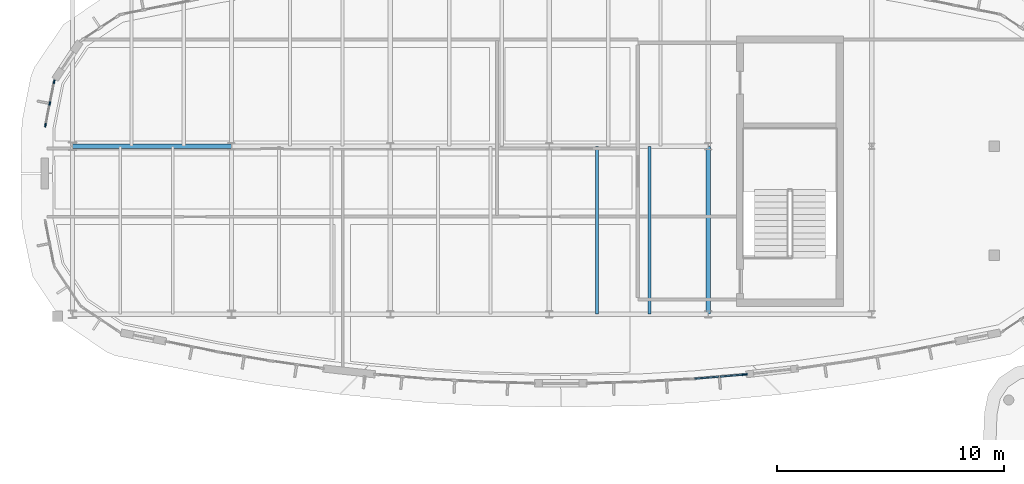
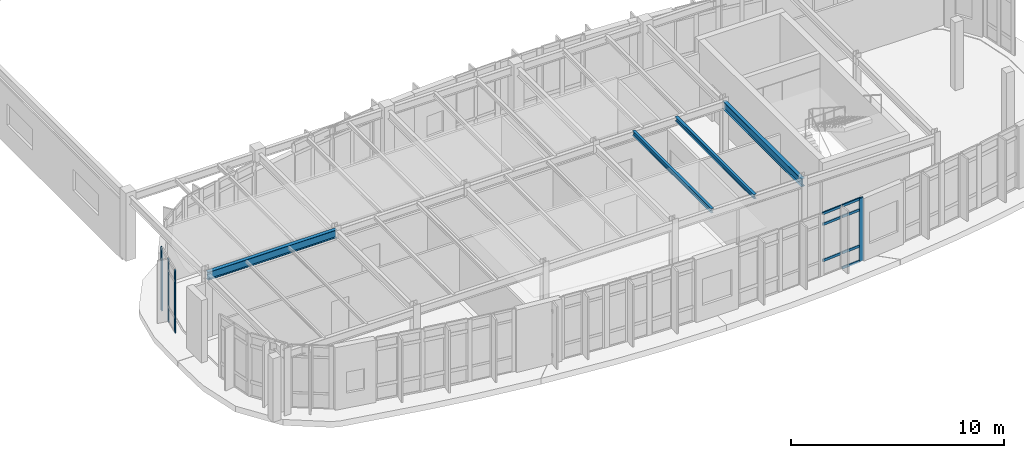
# One storey, part 36 of 111: 11 members, 4 beams, 2 elements without a shape of their own.
"""IFC4 building model written with IfcOpenShell, lengths in metres."""

from ifc_helpers import new_model, si_unit, direction, frame, origin, origin_2d, place, context, subcontext, project, spatial, rectangle, i_section, extrude, material, material_profile, profile_set, type_object, element, aggregate, save


model = new_model("IFC4")

# Units and contexts
model_context = context("Model", 3, precision=1e-05, world=origin(), true_north=direction((0.0, 1.0)))
body_context = subcontext(model_context, "Body", "Model", "MODEL_VIEW")
ifc_project = project(units=[si_unit("LENGTHUNIT", "METRE"), si_unit("AREAUNIT", "SQUARE_METRE"), si_unit("VOLUMEUNIT", "CUBIC_METRE"), si_unit("PLANEANGLEUNIT", "RADIAN"), si_unit("MASSUNIT", "GRAM", prefix="KILO")], contexts=[model_context])

# Site, building, storey
site_placement = place(None, origin())
site = spatial("IfcSite", under=ifc_project, at=site_placement, CompositionType="ELEMENT")
building_placement = place(site_placement, origin())
building = spatial("IfcBuilding", under=site, at=building_placement, Name="Corveleigh Park Community Centre", CompositionType="ELEMENT")
storey_placement = place(building_placement, frame((0.0, 0.0, 4.800048828125)))
storey = spatial("IfcBuildingStorey", under=building, at=storey_placement, Name="L01", CompositionType="ELEMENT", Elevation=4.800048828125)

# Beams
ifc_material_1 = material(Name="Steel S355", Category="steel")
ifc_material_profile_1 = material_profile(ifc_material_1, i_section(OverallWidth=0.14599609375, OverallDepth=0.25146484375, WebThickness=0.006103515625, FlangeThickness=0.008544921875, at=origin_2d()), Name="UKB 254x146x31", Category="steel")
ifc_profile_set_1 = profile_set([ifc_material_profile_1], Name="Steel S355")
beam_type_1 = type_object("IfcBeamType", Name="BM-STL-UKB254x31", PredefinedType="JOIST", material=ifc_profile_set_1)
for number, where, z_axis, x_axis, name in (
    (1, (34.300048828125, 78.0048828125, 3.53125), (0.0, 1.0, 0.0), (-1.0, 0.0, 0.0), "Secondary floor joist"),
    (2, (36.610107421875, 78.0048828125, 3.53125), (0.0, 1.0, 0.0), (-1.0, 0.0, 0.0), "Secondary floor joist"),
):
    element("IfcBeam", number, at=place(storey_placement, frame(where, z_axis=z_axis, x_axis=x_axis)), inside=storey, type_object=beam_type_1, Name=name, PredefinedType="JOIST", context=body_context, shape_type="SweptSolid", body=[
        extrude(i_section(OverallWidth=0.14599609375, OverallDepth=0.25146484375, WebThickness=0.006103515625, FlangeThickness=0.008544921875, at=origin_2d()), origin(), (0.0, 0.0, 1.0), 7.39013671875),
    ])
ifc_material_profile_2 = material_profile(ifc_material_1, i_section(OverallWidth=0.1904296875, OverallDepth=0.45703125, WebThickness=0.009033203125, FlangeThickness=0.014404296875, at=origin_2d()), Name="UKB 457x191x74", Category="steel")
ifc_profile_set_2 = profile_set([ifc_material_profile_2], Name="Steel S355")
beam_type_2 = type_object("IfcBeamType", Name="BM-STL-UKB457x74", PredefinedType="BEAM", material=ifc_profile_set_2)
beam_1_placement = place(storey_placement, frame((39.199951171875, 78.0048828125, 3.428466796875), z_axis=(0.0, 1.0, 0.0), x_axis=(-1.0, 0.0, 0.0)))
element("IfcBeam", 3, at=beam_1_placement, inside=storey, type_object=beam_type_2, Name="V2 Studio Girder Y", PredefinedType="BEAM", context=body_context, shape_type="SweptSolid", body=[
    extrude(i_section(OverallWidth=0.1904296875, OverallDepth=0.45703125, WebThickness=0.009033203125, FlangeThickness=0.014404296875, at=origin_2d()), origin(), (0.0, 0.0, 1.0), 7.39013671875),
])
ifc_material_profile_3 = material_profile(ifc_material_1, i_section(OverallWidth=0.19140625, OverallDepth=0.4599609375, WebThickness=0.010009765625, FlangeThickness=0.01611328125, at=origin_2d()), Name="UKB 457x191x82", Category="steel")
ifc_profile_set_3 = profile_set([ifc_material_profile_3], Name="Steel S355")
beam_type_3 = type_object("IfcBeamType", Name="BM-STL-UKB457x82", PredefinedType="BEAM", material=ifc_profile_set_3)
beam_2_placement = place(storey_placement, frame((11.205078125, 85.39990234375, 3.427001953125), z_axis=(1.0, 0.0, 0.0), x_axis=(0.0, 1.0, 0.0)))
element("IfcBeam", 4, at=beam_2_placement, inside=storey, type_object=beam_type_3, Name="V2 Studio Girder X", PredefinedType="BEAM", context=body_context, shape_type="SweptSolid", body=[
    extrude(i_section(OverallWidth=0.19140625, OverallDepth=0.4599609375, WebThickness=0.010009765625, FlangeThickness=0.01611328125, at=origin_2d()), origin(), (0.0, 0.0, 1.0), 6.989990234375),
])

# Curtain wall, members
ifc_material_2 = material(Name="Anodised aluminium 6063-T6", Category="aluminium")
curtain_wall_type = type_object("IfcCurtainWallType", Name="CW-SYS-V2-HALL", PredefinedType="NOTDEFINED", material=ifc_material_2)
curtain_wall_1_placement = place(storey_placement, origin())
curtain_wall_1 = element("IfcCurtainWall", 5, at=curtain_wall_1_placement, inside=storey, type_object=curtain_wall_type, Name="V2 L01 Curtain Wall 223", PredefinedType="NOTDEFINED")
ifc_material_profile_4 = material_profile(ifc_material_2, rectangle(XDim=0.06005859375, YDim=0.159912109375, at=origin_2d()), Name="ALU-M60x160", Category="aluminium")
ifc_profile_set_4 = profile_set([ifc_material_profile_4], Name="Anodised aluminium 6063-T6")
member_type_1 = type_object("IfcMemberType", Name="CWM-60x160", PredefinedType="MULLION", material=ifc_profile_set_4)
member_1_placement = place(storey_placement, frame((10.0107421875, 86.325439453125, 0.0), z_axis=(0.0, 0.0, 1.0), x_axis=(-0.980790638289, 0.195063384171, 0.0)))
member_1 = element("IfcMember", 6, at=member_1_placement, type_object=member_type_1, Name="CW04 mullion 1", PredefinedType="MULLION", context=body_context, shape_type="SweptSolid", body=[
    extrude(rectangle(XDim=0.06005859375, YDim=0.159912109375, at=origin_2d()), origin(), (0.0, 0.0, 1.0), 3.612060546875),
])
member_2_placement = place(storey_placement, frame((10.200927734375, 87.281494140625, 0.0), z_axis=(0.0, 0.0, 1.0), x_axis=(-0.980790638289, 0.195063384171, 0.0)))
member_2 = element("IfcMember", 7, at=member_2_placement, type_object=member_type_1, Name="CW04 mullion 2", PredefinedType="MULLION", context=body_context, shape_type="SweptSolid", body=[
    extrude(rectangle(XDim=0.06005859375, YDim=0.159912109375, at=origin_2d()), origin(), (0.0, 0.0, 1.0), 3.612060546875),
])
member_3_placement = place(storey_placement, frame((10.39111328125, 88.237548828125, 0.0), z_axis=(0.0, 0.0, 1.0), x_axis=(-0.980790638289, 0.195063384171, 0.0)))
member_3 = element("IfcMember", 8, at=member_3_placement, type_object=member_type_1, Name="CW04 mullion 3", PredefinedType="MULLION", context=body_context, shape_type="SweptSolid", body=[
    extrude(rectangle(XDim=0.06005859375, YDim=0.159912109375, at=origin_2d()), origin(), (0.0, 0.0, 1.0), 3.612060546875),
])
aggregate(curtain_wall_1, [member_1, member_2, member_3])

curtain_wall_2_placement = place(storey_placement, origin())
curtain_wall_2 = element("IfcCurtainWall", 9, at=curtain_wall_2_placement, inside=storey, type_object=curtain_wall_type, Name="V2 L01 Curtain Wall 202", PredefinedType="NOTDEFINED")
ifc_material_profile_5 = material_profile(ifc_material_2, rectangle(XDim=0.074951171875, YDim=0.219970703125, at=origin_2d()), Name="ALU-M75x220", Category="aluminium")
ifc_profile_set_5 = profile_set([ifc_material_profile_5], Name="Anodised aluminium 6063-T6")
member_type_2 = type_object("IfcMemberType", Name="CWM-75x220", PredefinedType="MULLION", material=ifc_profile_set_5)
member_4_placement = place(storey_placement, frame((40.80859375, 75.347900390625, 0.0), z_axis=(0.0, 0.0, 1.0), x_axis=(0.084653854486, -0.996410419918, 0.0)))
member_4 = element("IfcMember", 10, at=member_4_placement, type_object=member_type_2, Name="CW04 mullion 1", PredefinedType="MULLION", context=body_context, shape_type="SweptSolid", body=[
    extrude(rectangle(XDim=0.074951171875, YDim=0.219970703125, at=origin_2d()), origin(), (0.0, 0.0, 1.0), 3.619873046875),
])
ifc_material_profile_6 = material_profile(ifc_material_2, rectangle(XDim=0.06494140625, YDim=0.139892578125, at=origin_2d()), Name="ALU-T65x140", Category="aluminium")
ifc_profile_set_6 = profile_set([ifc_material_profile_6], Name="Anodised aluminium 6063-T6")
member_type_3 = type_object("IfcMemberType", Name="CWT-65x140", PredefinedType="USERDEFINED", material=ifc_profile_set_6)
member_5_placement = place(storey_placement, frame((40.771240234375, 75.3447265625, 0.032470703125), z_axis=(-0.996397587199, -0.084804765335, 0.0), x_axis=(0.084804765335, -0.996397587199, 0.0)))
member_5 = element("IfcMember", 11, at=member_5_placement, type_object=member_type_3, Name="CW04 transom 1.1", ObjectType="TRANSOM", PredefinedType="USERDEFINED", context=body_context, shape_type="SweptSolid", body=[
    extrude(rectangle(XDim=0.06494140625, YDim=0.139892578125, at=origin_2d()), origin(), (0.0, 0.0, 1.0), 1.044921875),
])
member_6_placement = place(storey_placement, frame((40.771240234375, 75.3447265625, 0.89990234375), z_axis=(-0.996397587199, -0.084804765335, 0.0), x_axis=(0.084804765335, -0.996397587199, 0.0)))
member_6 = element("IfcMember", 12, at=member_6_placement, type_object=member_type_3, Name="CW04 transom 1.2", ObjectType="TRANSOM", PredefinedType="USERDEFINED", context=body_context, shape_type="SweptSolid", body=[
    extrude(rectangle(XDim=0.06494140625, YDim=0.139892578125, at=origin_2d()), origin(), (0.0, 0.0, 1.0), 1.044921875),
])
member_7_placement = place(storey_placement, frame((40.771240234375, 75.3447265625, 2.969970703125), z_axis=(-0.996397587199, -0.084804765335, 0.0), x_axis=(0.084804765335, -0.996397587199, 0.0)))
member_7 = element("IfcMember", 13, at=member_7_placement, type_object=member_type_3, Name="CW04 transom 1.3", ObjectType="TRANSOM", PredefinedType="USERDEFINED", context=body_context, shape_type="SweptSolid", body=[
    extrude(rectangle(XDim=0.06494140625, YDim=0.139892578125, at=origin_2d()), origin(), (0.0, 0.0, 1.0), 1.044921875),
])
member_8_placement = place(storey_placement, frame((40.771240234375, 75.3447265625, 3.58740234375), z_axis=(-0.996397587199, -0.084804765335, 0.0), x_axis=(0.084804765335, -0.996397587199, 0.0)))
member_8 = element("IfcMember", 14, at=member_8_placement, type_object=member_type_3, Name="CW04 transom 1.4", ObjectType="TRANSOM", PredefinedType="USERDEFINED", context=body_context, shape_type="SweptSolid", body=[
    extrude(rectangle(XDim=0.06494140625, YDim=0.139892578125, at=origin_2d()), origin(), (0.0, 0.0, 1.0), 1.044921875),
])
member_9_placement = place(storey_placement, frame((39.655029296875, 75.249755859375, 0.89990234375), z_axis=(-0.996417301475, -0.084572816679, 0.0), x_axis=(0.084572816679, -0.996417301475, 0.0)))
member_9 = element("IfcMember", 15, at=member_9_placement, type_object=member_type_3, Name="CW04 transom 2.2", ObjectType="TRANSOM", PredefinedType="USERDEFINED", context=body_context, shape_type="SweptSolid", body=[
    extrude(rectangle(XDim=0.06494140625, YDim=0.139892578125, at=origin_2d()), origin(), (0.0, 0.0, 1.0), 1.044921875),
])
member_10_placement = place(storey_placement, frame((39.655029296875, 75.249755859375, 2.969970703125), z_axis=(-0.996417301475, -0.084572816679, 0.0), x_axis=(0.084572816679, -0.996417301475, 0.0)))
member_10 = element("IfcMember", 16, at=member_10_placement, type_object=member_type_3, Name="CW04 transom 2.3", ObjectType="TRANSOM", PredefinedType="USERDEFINED", context=body_context, shape_type="SweptSolid", body=[
    extrude(rectangle(XDim=0.06494140625, YDim=0.139892578125, at=origin_2d()), origin(), (0.0, 0.0, 1.0), 1.044921875),
])
member_11_placement = place(storey_placement, frame((39.655029296875, 75.249755859375, 3.58740234375), z_axis=(-0.996417301475, -0.084572816679, 0.0), x_axis=(0.084572816679, -0.996417301475, 0.0)))
member_11 = element("IfcMember", 17, at=member_11_placement, type_object=member_type_3, Name="CW04 transom 2.4", ObjectType="TRANSOM", PredefinedType="USERDEFINED", context=body_context, shape_type="SweptSolid", body=[
    extrude(rectangle(XDim=0.06494140625, YDim=0.139892578125, at=origin_2d()), origin(), (0.0, 0.0, 1.0), 1.044921875),
])
aggregate(curtain_wall_2, [member_4, member_5, member_6, member_7, member_8, member_9, member_10, member_11])

save(model, "model.ifc")
